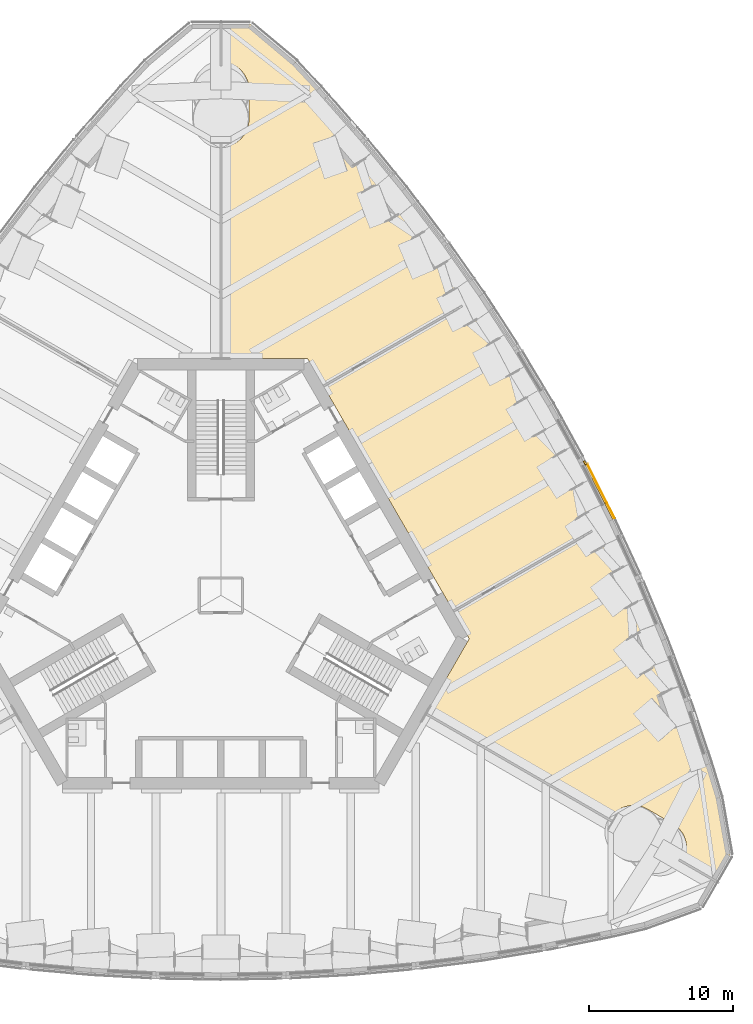
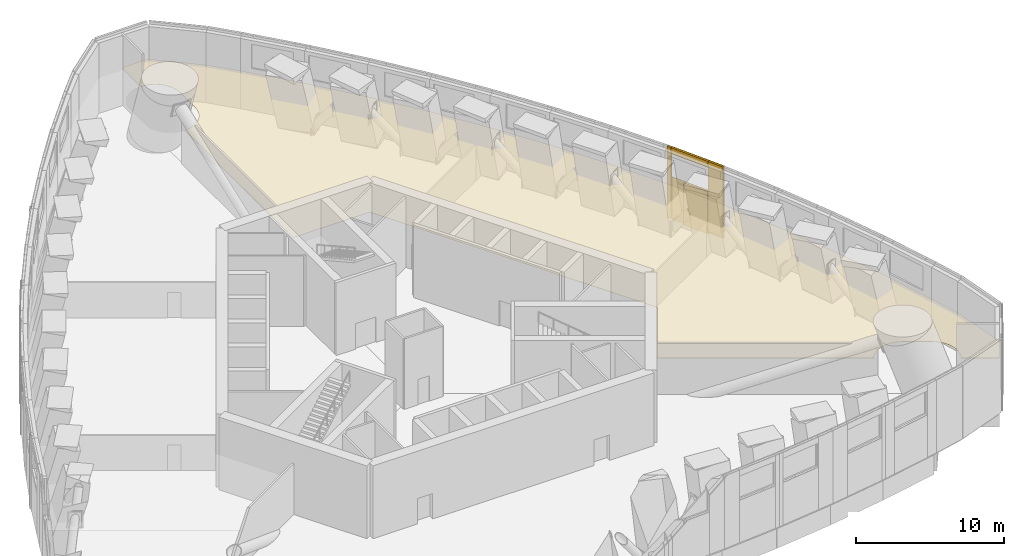
# One storey, part 19 of 25: 8 coverings.
"""IFC4 building model written with IfcOpenShell, lengths in metres."""

from ifc_helpers import new_model, si_unit, direction, frame, origin, origin_2d, place, context, subcontext, project, spatial, polyline, rectangle, outline, extrude, material, layer, layer_set, type_object, element, save


model = new_model("IFC4")

# Units and contexts
model_context = context("Model", 3, precision=1e-05, world=origin(), true_north=direction((0.0, 1.0)))
body_context = subcontext(model_context, "Body", "Model", "MODEL_VIEW")
ifc_project = project(units=[si_unit("LENGTHUNIT", "METRE"), si_unit("AREAUNIT", "SQUARE_METRE"), si_unit("VOLUMEUNIT", "CUBIC_METRE"), si_unit("PLANEANGLEUNIT", "RADIAN"), si_unit("MASSUNIT", "GRAM", prefix="KILO")], contexts=[model_context])

# Site, building, storey
site_placement = place(None, origin())
site = spatial("IfcSite", under=ifc_project, at=site_placement, CompositionType="ELEMENT")
building_placement = place(site_placement, origin())
building = spatial("IfcBuilding", under=site, at=building_placement, Name="Trefoil Bronze Tower", CompositionType="ELEMENT")
storey_placement = place(building_placement, frame((0.0, 0.0, 178.699951171875)))
storey = spatial("IfcBuildingStorey", under=building, at=storey_placement, Name="L41", CompositionType="ELEMENT", Elevation=178.699951171875)

# Coverings
ifc_material_1 = material(Name="Bronze-finish aluminium rainscreen panel on aluminium rails", Category="aluminium")
ifc_layer_1 = layer(ifc_material_1, 0.0400390625)
ifc_layer_set_1 = layer_set([ifc_layer_1], Name="Bronze cladding panel 40")
covering_type_1 = type_object("IfcCoveringType", Name="Bronze cladding panel 40", PredefinedType="CLADDING", material=ifc_layer_set_1)
covering_1_placement = place(storey_placement, frame((27.00732421875, 5.8759765625, 0.0), z_axis=(0.0, 0.0, 1.0), x_axis=(-0.452448919873, 0.891790320034, 0.0)))
element("IfcCovering", 1, at=covering_1_placement, inside=storey, type_object=covering_type_1, Name="Cladding panel L41 Face 2.6 piece 1", PredefinedType="CLADDING", context=body_context, shape_type="SweptSolid", body=[
    extrude(rectangle(XDim=1.20654296875, YDim=0.0400390625, at=origin_2d()), origin(), (0.0, 0.0, 1.0), 6.0),
])
covering_2_placement = place(storey_placement, frame((26.0556640625, 7.751708984375, 0.0), z_axis=(0.0, 0.0, 1.0), x_axis=(-0.452448919873, 0.891790320034, 0.0)))
element("IfcCovering", 2, at=covering_2_placement, inside=storey, type_object=covering_type_1, Name="Cladding panel L41 Face 2.6 piece 3", PredefinedType="CLADDING", context=body_context, shape_type="SweptSolid", body=[
    extrude(rectangle(XDim=3.0, YDim=0.0400390625, at=origin_2d()), origin(), (0.0, 0.0, 1.0), 3.5),
])
covering_3_placement = place(storey_placement, frame((26.0556640625, 7.751708984375, 5.5), z_axis=(0.0, 0.0, 1.0), x_axis=(-0.452448919873, 0.891790320034, 0.0)))
element("IfcCovering", 3, at=covering_3_placement, inside=storey, type_object=covering_type_1, Name="Cladding panel L41 Face 2.6 piece 4", PredefinedType="CLADDING", context=body_context, shape_type="SweptSolid", body=[
    extrude(rectangle(XDim=3.0, YDim=0.0400390625, at=origin_2d()), origin(), (0.0, 0.0, 1.0), 0.5),
])
ifc_material_2 = material(Name="Acoustic ceiling panels", Category="mineral fibre")
ifc_layer_2 = layer(ifc_material_2, 0.02001953125)
ifc_layer_set_2 = layer_set([ifc_layer_2], Name="Office ceiling 20")
covering_type_2 = type_object("IfcCoveringType", Name="Office ceiling 20", PredefinedType="CEILING", material=ifc_layer_set_2)
covering_4_placement = place(storey_placement, frame((0.0, 0.0, 2.900146484375)))
element("IfcCovering", 4, at=covering_4_placement, inside=storey, type_object=covering_type_2, Name="Ceiling L41 Mechanical plant room F2", PredefinedType="CEILING", context=body_context, shape_type="SweptSolid", body=[
    extrude(outline(polyline([(6.847900390625, 35.130615234375), (9.885986328125, 31.6884765625), (12.776611328125, 28.1611328125), (15.522216796875, 24.55029296875), (18.124755859375, 20.856689453125), (20.585693359375, 17.081298828125), (22.906005859375, 13.224853515625), (25.085693359375, 9.287109375), (27.124755859375, 5.268310546875), (29.022216796875, 1.16748046875), (30.776611328125, -3.015625), (32.385986328125, -7.28271484375), (33.847900390625, -11.634765625), (34.5537109375, -13.94970703125), (35.2666015625, -17.99169921875), (34.247802734375, -19.755859375), (32.006103515625, -18.462646484375), (32.030517578125, -18.419189453125), (32.07373046875, -18.333740234375), (32.112548828125, -18.24609375), (32.14697265625, -18.156982421875), (32.177001953125, -18.066162109375), (32.202392578125, -17.973876953125), (32.223388671875, -17.88037109375), (32.23974609375, -17.7861328125), (32.25146484375, -17.691162109375), (32.258544921875, -17.595703125), (32.260986328125, -17.5), (32.258544921875, -17.404296875), (32.25146484375, -17.308837890625), (32.23974609375, -17.2138671875), (32.223388671875, -17.11962890625), (32.202392578125, -17.026123046875), (32.177001953125, -16.933837890625), (32.14697265625, -16.843017578125), (32.112548828125, -16.75390625), (32.07373046875, -16.666259765625), (32.030517578125, -16.580810546875), (31.9833984375, -16.49755859375), (31.932373046875, -16.41650390625), (31.877197265625, -16.33837890625), (31.818359375, -16.262939453125), (31.755615234375, -16.1904296875), (31.689697265625, -16.12109375), (31.620361328125, -16.05517578125), (31.548095703125, -15.99267578125), (31.472412109375, -15.93359375), (31.394287109375, -15.878662109375), (31.3134765625, -15.827392578125), (29.581298828125, -14.827392578125), (29.498046875, -14.7802734375), (29.41259765625, -14.7373046875), (29.3251953125, -14.698486328125), (29.23583984375, -14.6640625), (29.14501953125, -14.634033203125), (29.052490234375, -14.6083984375), (28.959228515625, -14.58740234375), (28.864990234375, -14.571044921875), (28.77001953125, -14.559326171875), (28.674560546875, -14.55224609375), (28.578857421875, -14.550048828125), (28.483154296875, -14.55224609375), (28.3876953125, -14.559326171875), (28.292724609375, -14.571044921875), (28.198486328125, -14.58740234375), (28.10498046875, -14.6083984375), (28.0126953125, -14.634033203125), (27.921875, -14.6640625), (27.83251953125, -14.698486328125), (27.7451171875, -14.7373046875), (27.65966796875, -14.7802734375), (27.576416015625, -14.827392578125), (27.49560546875, -14.878662109375), (27.417236328125, -14.93359375), (27.341796875, -14.99267578125), (27.269287109375, -15.05517578125), (27.199951171875, -15.12109375), (27.134033203125, -15.1904296875), (27.071533203125, -15.262939453125), (27.0126953125, -15.33837890625), (26.95751953125, -15.41650390625), (26.896240234375, -15.51513671875), (14.205810546875, -8.194580078125), (17.205078125, -3.0), (6.00439453125, 16.39990234375), (0.006103515625, 16.39990234375), (0.01171875, 31.05029296875), (0.095703125, 31.05224609375), (0.191162109375, 31.059326171875), (0.2861328125, 31.071044921875), (0.38037109375, 31.08740234375), (0.473876953125, 31.1083984375), (0.566162109375, 31.134033203125), (0.656982421875, 31.1640625), (0.74609375, 31.198486328125), (0.833740234375, 31.2373046875), (0.919189453125, 31.2802734375), (1.00244140625, 31.327392578125), (1.08349609375, 31.378662109375), (1.16162109375, 31.43359375), (1.237060546875, 31.49267578125), (1.3095703125, 31.55517578125), (1.37890625, 31.62109375), (1.44482421875, 31.6904296875), (1.50732421875, 31.762939453125), (1.56640625, 31.83837890625), (1.621337890625, 31.91650390625), (1.672607421875, 31.99755859375), (1.7197265625, 32.080810546875), (1.7626953125, 32.166259765625), (1.801513671875, 32.25390625), (1.8359375, 32.343017578125), (1.865966796875, 32.433837890625), (1.8916015625, 32.526123046875), (1.91259765625, 32.61962890625), (1.928955078125, 32.7138671875), (1.940673828125, 32.808837890625), (1.94775390625, 32.904296875), (1.949951171875, 33.0), (1.949951171875, 35.0), (1.94775390625, 35.095703125), (1.940673828125, 35.191162109375), (1.928955078125, 35.2861328125), (1.91259765625, 35.38037109375), (1.8916015625, 35.473876953125), (1.865966796875, 35.566162109375), (1.8359375, 35.656982421875), (1.801513671875, 35.74609375), (1.7626953125, 35.833740234375), (1.7197265625, 35.919189453125), (1.672607421875, 36.00244140625), (1.621337890625, 36.08349609375), (1.56640625, 36.16162109375), (1.50732421875, 36.237060546875), (1.44482421875, 36.3095703125), (1.37890625, 36.37890625), (1.3095703125, 36.44482421875), (1.237060546875, 36.50732421875), (1.16162109375, 36.56640625), (1.08349609375, 36.621337890625), (1.00244140625, 36.672607421875), (0.919189453125, 36.7197265625), (0.833740234375, 36.7626953125), (0.74609375, 36.801513671875), (0.656982421875, 36.8359375), (0.566162109375, 36.865966796875), (0.473876953125, 36.8916015625), (0.38037109375, 36.91259765625), (0.2861328125, 36.928955078125), (0.191162109375, 36.940673828125), (0.095703125, 36.94775390625), (0.013916015625, 36.94970703125), (0.014892578125, 39.53759765625), (2.052001953125, 39.53759765625), (5.1962890625, 36.8994140625), (6.847900390625, 35.130615234375)])), origin(), (0.0, 0.0, 1.0), 0.02001953125),
])
ifc_material_3 = material(Name="Non-combustible mineral wool slab", Category="insulation")
ifc_layer_3 = layer(ifc_material_3, 0.14990234375)
ifc_layer_set_3 = layer_set([ifc_layer_3], Name="Rainscreen insulation 150")
covering_type_3 = type_object("IfcCoveringType", Name="Rainscreen insulation 150", PredefinedType="INSULATION", material=ifc_layer_set_3)
covering_5_placement = place(storey_placement, frame((26.922607421875, 5.8330078125, 0.2451171875), z_axis=(0.0, 0.0, 1.0), x_axis=(-0.452448919873, 0.891790320034, 0.0)))
element("IfcCovering", 5, at=covering_5_placement, inside=storey, type_object=covering_type_3, Name="Insulation L41 Face 2.6 piece 1", PredefinedType="INSULATION", context=body_context, shape_type="SweptSolid", body=[
    extrude(rectangle(XDim=1.20654296875, YDim=0.14990234375, at=origin_2d()), origin(), (0.0, 0.0, 1.0), 5.7548828125),
])
covering_6_placement = place(storey_placement, frame((25.224365234375, 9.18017578125, 0.10986328125), z_axis=(0.0, 0.0, 1.0), x_axis=(-0.452448919873, 0.891790320034, 0.0)))
element("IfcCovering", 6, at=covering_6_placement, inside=storey, type_object=covering_type_3, Name="Insulation L41 Face 2.6 piece 2", PredefinedType="INSULATION", context=body_context, shape_type="SweptSolid", body=[
    extrude(rectangle(XDim=0.300048828125, YDim=0.14990234375, at=origin_2d()), origin(), (0.0, 0.0, 1.0), 5.889892578125),
])
covering_7_placement = place(storey_placement, frame((26.19384765625, 7.26953125, 0.0), z_axis=(0.0, 0.0, 1.0), x_axis=(-0.452448919873, 0.891790320034, 0.0)))
element("IfcCovering", 7, at=covering_7_placement, inside=storey, type_object=covering_type_3, Name="Insulation L41 Face 2.6 piece 3", PredefinedType="INSULATION", context=body_context, shape_type="SweptSolid", body=[
    extrude(rectangle(XDim=1.925048828125, YDim=0.14990234375, at=origin_2d()), origin(), (0.0, 0.0, 1.0), 3.5),
])
covering_8_placement = place(storey_placement, frame((25.970947265625, 7.708740234375, 5.5), z_axis=(0.0, 0.0, 1.0), x_axis=(-0.452448919873, 0.891790320034, 0.0)))
element("IfcCovering", 8, at=covering_8_placement, inside=storey, type_object=covering_type_3, Name="Insulation L41 Face 2.6 piece 4", PredefinedType="INSULATION", context=body_context, shape_type="SweptSolid", body=[
    extrude(rectangle(XDim=3.0, YDim=0.14990234375, at=origin_2d()), origin(), (0.0, 0.0, 1.0), 0.5),
])

save(model, "model.ifc")
